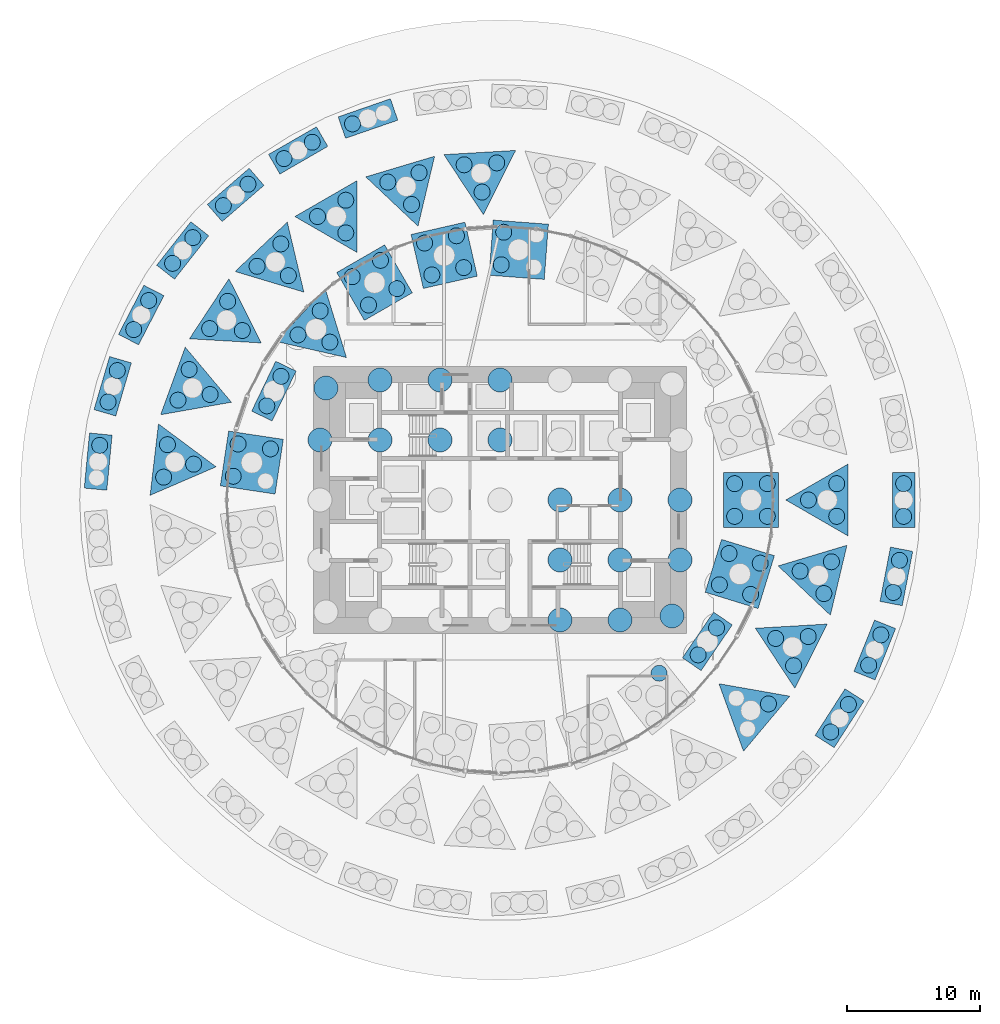
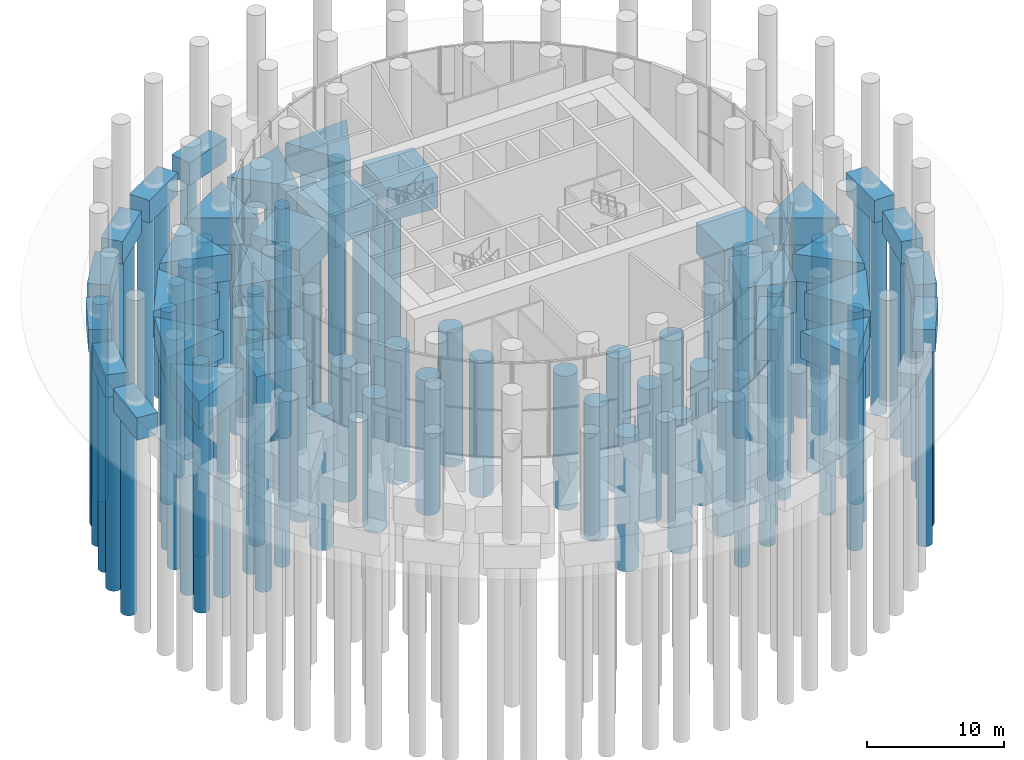
# One storey, part 3 of 20: 97 piles, 31 footings.
"""IFC4 building model written with IfcOpenShell, lengths in metres."""

from ifc_helpers import new_model, si_unit, direction, frame, origin, origin_2d, place, context, subcontext, project, spatial, polyline, circle, outline, extrude, material, material_profile, profile_set, type_object, element, save


model = new_model("IFC4")

# Units and contexts
model_context = context("Model", 3, precision=1e-05, world=origin(), true_north=direction((0.0, 1.0)))
body_context = subcontext(model_context, "Body", "Model", "MODEL_VIEW")
ifc_project = project(units=[si_unit("LENGTHUNIT", "METRE"), si_unit("AREAUNIT", "SQUARE_METRE"), si_unit("VOLUMEUNIT", "CUBIC_METRE"), si_unit("PLANEANGLEUNIT", "RADIAN"), si_unit("MASSUNIT", "GRAM", prefix="KILO")], contexts=[model_context])

# Site, building, storey
site_placement = place(None, origin())
site = spatial("IfcSite", under=ifc_project, at=site_placement, CompositionType="ELEMENT")
building_placement = place(site_placement, origin())
building = spatial("IfcBuilding", under=site, at=building_placement, Name="Tracery Tower", CompositionType="ELEMENT")
storey_placement = place(building_placement, origin())
storey = spatial("IfcBuildingStorey", under=building, at=storey_placement, Name="L00", CompositionType="ELEMENT", Elevation=0.0)

# Piles
ifc_material_1 = material(Name="Concrete C50/60", Category="concrete")
ifc_material_profile_1 = material_profile(ifc_material_1, circle(Radius=0.89990234375, at=origin_2d()), Name="RC D1800")
ifc_profile_set_1 = profile_set([ifc_material_profile_1], Name="Concrete C50/60")
pile_type_1 = type_object("IfcPileType", Name="Core bored pile D1800", PredefinedType="BORED", material=ifc_profile_set_1)
for number, where, z_axis, x_axis, name in (
    (1, (-13.5, 4.5, -8.0), (0.0, 0.0, -1.0), (1.0, 0.0, 0.0), "Core bored pile 04"),
    (2, (-13.050048828125, 8.39990234375, -8.0), (0.0, 0.0, -1.0), (1.0, 0.0, 0.0), "Core bored pile 05"),
    (3, (-9.0, 4.5, -8.0), (0.0, 0.0, -1.0), (1.0, 0.0, 0.0), "Core bored pile 09"),
    (4, (-9.0, 9.0, -8.0), (0.0, 0.0, -1.0), (1.0, 0.0, 0.0), "Core bored pile 10"),
    (5, (-4.5, 4.5, -8.0), (0.0, 0.0, -1.0), (1.0, 0.0, 0.0), "Core bored pile 14"),
    (6, (-4.5, 9.0, -8.0), (0.0, 0.0, -1.0), (1.0, 0.0, 0.0), "Core bored pile 15"),
    (7, (0.0, 4.5, -8.0), (0.0, 0.0, -1.0), (1.0, 0.0, 0.0), "Core bored pile 19"),
    (8, (0.0, 9.0, -8.0), (0.0, 0.0, -1.0), (1.0, 0.0, 0.0), "Core bored pile 20"),
    (9, (4.5, -9.0, -8.0), (0.0, 0.0, -1.0), (1.0, 0.0, 0.0), "Core bored pile 21"),
    (10, (4.5, -4.5, -8.0), (0.0, 0.0, -1.0), (1.0, 0.0, 0.0), "Core bored pile 22"),
    (11, (4.5, 0.0, -8.0), (0.0, 0.0, -1.0), (1.0, 0.0, 0.0), "Core bored pile 23"),
    (12, (9.0, -9.0, -8.0), (0.0, 0.0, -1.0), (1.0, 0.0, 0.0), "Core bored pile 26"),
    (13, (9.0, -4.5, -8.0), (0.0, 0.0, -1.0), (1.0, 0.0, 0.0), "Core bored pile 27"),
    (14, (9.0, 0.0, -8.0), (0.0, 0.0, -1.0), (1.0, 0.0, 0.0), "Core bored pile 28"),
    (15, (12.89990234375, -8.699951171875, -8.0), (0.0, 0.0, -1.0), (1.0, 0.0, 0.0), "Core bored pile 31"),
    (16, (13.5, -4.5, -8.0), (0.0, 0.0, -1.0), (1.0, 0.0, 0.0), "Core bored pile 32"),
    (17, (13.5, 0.0, -8.0), (0.0, 0.0, -1.0), (1.0, 0.0, 0.0), "Core bored pile 33"),
):
    element("IfcPile", number, at=place(storey_placement, frame(where, z_axis=z_axis, x_axis=x_axis)), inside=storey, type_object=pile_type_1, Name=name, PredefinedType="BORED", context=body_context, shape_type="SweptSolid", body=[
        extrude(circle(Radius=0.89990234375, at=origin_2d()), origin(), (0.0, 0.0, 1.0), 12.0),
    ])
ifc_material_2 = material(Name="Concrete C50/60", Category="concrete")
ifc_material_profile_2 = material_profile(ifc_material_2, circle(Radius=0.60009765625, at=origin_2d()), Name="RC D1200")
ifc_profile_set_2 = profile_set([ifc_material_profile_2], Name="Concrete C50/60")
pile_type_2 = type_object("IfcPileType", Name="Ring 0 bored pile D1200", PredefinedType="BORED", material=ifc_profile_set_2)
for number, where, z_axis, x_axis, name in (
    (18, (30.274658203125, -1.22509765625, -2.39990234375), (0.0, 0.0, -1.0), (1.0, 0.0, 0.0), "Bored pile 1 under ring 0 column 00"),
    (19, (30.274658203125, 1.22509765625, -2.39990234375), (0.0, 0.0, -1.0), (1.0, 0.0, 0.0), "Bored pile 2 under ring 0 column 00"),
    (20, (-11.0595703125, 28.208984375, -2.39990234375), (0.0, 0.0, -1.0), (1.0, 0.0, 0.0), "Bored pile 2 under ring 0 column 10"),
    (21, (-14.076416015625, 26.8310546875, -2.39990234375), (0.0, 0.0, -1.0), (1.0, 0.0, 0.0), "Bored pile 1 under ring 0 column 11"),
    (22, (-16.1982421875, 25.606201171875, -2.39990234375), (0.0, 0.0, -1.0), (1.0, 0.0, 0.0), "Bored pile 2 under ring 0 column 11"),
    (23, (-18.89990234375, 23.68212890625, -2.39990234375), (0.0, 0.0, -1.0), (1.0, 0.0, 0.0), "Bored pile 1 under ring 0 column 12"),
    (24, (-20.75146484375, 22.077880859375, -2.39990234375), (0.0, 0.0, -1.0), (1.0, 0.0, 0.0), "Bored pile 2 under ring 0 column 12"),
    (25, (-23.040283203125, 19.677490234375, -2.39990234375), (0.0, 0.0, -1.0), (1.0, 0.0, 0.0), "Bored pile 1 under ring 0 column 13"),
    (26, (-24.5546875, 17.751708984375, -2.39990234375), (0.0, 0.0, -1.0), (1.0, 0.0, 0.0), "Bored pile 2 under ring 0 column 13"),
    (27, (-26.347900390625, 14.96142578125, -2.39990234375), (0.0, 0.0, -1.0), (1.0, 0.0, 0.0), "Bored pile 1 under ring 0 column 14"),
    (28, (-27.470458984375, 12.78369140625, -2.39990234375), (0.0, 0.0, -1.0), (1.0, 0.0, 0.0), "Bored pile 2 under ring 0 column 14"),
    (29, (-28.703125, 9.70458984375, -2.39990234375), (0.0, 0.0, -1.0), (1.0, 0.0, 0.0), "Bored pile 1 under ring 0 column 15"),
    (30, (-29.393310546875, 7.35400390625, -2.39990234375), (0.0, 0.0, -1.0), (1.0, 0.0, 0.0), "Bored pile 2 under ring 0 column 15"),
    (31, (-30.02099609375, 4.09716796875, -2.39990234375), (0.0, 0.0, -1.0), (1.0, 0.0, 0.0), "Bored pile 1 under ring 0 column 16"),
    (32, (24.806396484375, -17.398193359375, -2.39990234375), (0.0, 0.0, -1.0), (1.0, 0.0, 0.0), "Bored pile 1 under ring 0 column 30"),
    (33, (26.130859375, -15.337158203125, -2.39990234375), (0.0, 0.0, -1.0), (1.0, 0.0, 0.0), "Bored pile 2 under ring 0 column 30"),
    (34, (27.650634765625, -12.38916015625, -2.39990234375), (0.0, 0.0, -1.0), (1.0, 0.0, 0.0), "Bored pile 1 under ring 0 column 31"),
    (35, (28.561279296875, -10.11474609375, -2.39990234375), (0.0, 0.0, -1.0), (1.0, 0.0, 0.0), "Bored pile 2 under ring 0 column 31"),
    (36, (29.49560546875, -6.932373046875, -2.39990234375), (0.0, 0.0, -1.0), (1.0, 0.0, 0.0), "Bored pile 1 under ring 0 column 32"),
    (37, (29.959228515625, -4.526611328125, -2.39990234375), (0.0, 0.0, -1.0), (1.0, 0.0, 0.0), "Bored pile 2 under ring 0 column 32"),
):
    element("IfcPile", number, at=place(storey_placement, frame(where, z_axis=z_axis, x_axis=x_axis)), inside=storey, type_object=pile_type_2, Name=name, PredefinedType="BORED", context=body_context, shape_type="SweptSolid", body=[
        extrude(circle(Radius=0.60009765625, at=origin_2d()), origin(), (0.0, 0.0, 1.0), 17.60009765625),
    ])

# Footings
ifc_material_3 = material(Name="Concrete C50/60", Category="concrete")
footing_type_1 = type_object("IfcFootingType", Name="Ring 0 pile cap 2 piles", PredefinedType="PILE_CAP", material=ifc_material_3)
footing_1_placement = place(storey_placement, frame((0.0, 0.0, -2.39990234375)))
element("IfcFooting", 38, at=footing_1_placement, inside=storey, type_object=footing_type_1, Name="Pile cap under ring 0 column 00", PredefinedType="PILE_CAP", context=body_context, shape_type="SweptSolid", body=[
    extrude(outline(polyline([(29.424560546875, -2.074951171875), (31.12451171875, -2.074951171875), (31.12451171875, -1.22509765625), (31.12451171875, 2.074951171875), (29.424560546875, 2.074951171875), (29.424560546875, 1.22509765625), (29.424560546875, -2.074951171875)])), origin(), (0.0, 0.0, 1.0), 2.0),
])
footing_2_placement = place(storey_placement, frame((0.0, 0.0, -2.39990234375)))
element("IfcFooting", 39, at=footing_2_placement, inside=storey, type_object=footing_type_1, Name="Pile cap under ring 0 column 10", PredefinedType="PILE_CAP", context=body_context, shape_type="SweptSolid", body=[
    extrude(outline(polyline([(-7.6630859375, 28.48486328125), (-8.218994140625, 30.09130859375), (-9.022216796875, 29.8134765625), (-12.140625, 28.734130859375), (-11.584716796875, 27.127685546875), (-10.781494140625, 27.405517578125), (-7.6630859375, 28.48486328125)])), origin(), (0.0, 0.0, 1.0), 2.0),
])
footing_3_placement = place(storey_placement, frame((0.0, 0.0, -2.39990234375)))
element("IfcFooting", 40, at=footing_3_placement, inside=storey, type_object=footing_type_1, Name="Pile cap under ring 0 column 11", PredefinedType="PILE_CAP", context=body_context, shape_type="SweptSolid", body=[
    extrude(outline(polyline([(-12.915283203125, 26.52001953125), (-13.765380859375, 27.9921875), (-14.50146484375, 27.567138671875), (-17.359375, 25.917236328125), (-16.50927734375, 24.445068359375), (-15.773193359375, 24.8701171875), (-12.915283203125, 26.52001953125)])), origin(), (0.0, 0.0, 1.0), 2.0),
])
footing_4_placement = place(storey_placement, frame((0.0, 0.0, -2.39990234375)))
element("IfcFooting", 41, at=footing_4_placement, inside=storey, type_object=footing_type_1, Name="Pile cap under ring 0 column 12", PredefinedType="PILE_CAP", context=body_context, shape_type="SweptSolid", body=[
    extrude(outline(polyline([(-17.70068359375, 23.596435546875), (-18.814208984375, 24.881103515625), (-19.45654296875, 24.32470703125), (-21.950439453125, 22.16357421875), (-20.837158203125, 20.87890625), (-20.19482421875, 21.435302734375), (-17.70068359375, 23.596435546875)])), origin(), (0.0, 0.0, 1.0), 2.0),
])
footing_5_placement = place(storey_placement, frame((0.0, 0.0, -2.39990234375)))
element("IfcFooting", 42, at=footing_5_placement, inside=storey, type_object=footing_type_1, Name="Pile cap under ring 0 column 13", PredefinedType="PILE_CAP", context=body_context, shape_type="SweptSolid", body=[
    extrude(outline(polyline([(-21.8466796875, 19.820068359375), (-23.182861328125, 20.87109375), (-23.708251953125, 20.202880859375), (-25.748291015625, 17.60888671875), (-24.412109375, 16.55810546875), (-23.886474609375, 17.226318359375), (-21.8466796875, 19.820068359375)])), origin(), (0.0, 0.0, 1.0), 2.0),
])
footing_6_placement = place(storey_placement, frame((0.0, 0.0, -2.39990234375)))
element("IfcFooting", 43, at=footing_6_placement, inside=storey, type_object=footing_type_1, Name="Pile cap under ring 0 column 14", PredefinedType="PILE_CAP", context=body_context, shape_type="SweptSolid", body=[
    extrude(outline(polyline([(-25.202880859375, 15.327392578125), (-26.7138671875, 16.1064453125), (-27.103271484375, 15.350830078125), (-28.615478515625, 12.417724609375), (-27.1044921875, 11.638916015625), (-26.715087890625, 12.394287109375), (-25.202880859375, 15.327392578125)])), origin(), (0.0, 0.0, 1.0), 2.0),
])
footing_7_placement = place(storey_placement, frame((0.0, 0.0, -2.39990234375)))
element("IfcFooting", 44, at=footing_7_placement, inside=storey, type_object=footing_type_1, Name="Pile cap under ring 0 column 15", PredefinedType="PILE_CAP", context=body_context, shape_type="SweptSolid", body=[
    extrude(outline(polyline([(-27.648193359375, 10.28076171875), (-29.279296875, 10.759765625), (-29.518798828125, 9.944091796875), (-30.448486328125, 6.77783203125), (-28.8173828125, 6.298828125), (-28.577880859375, 7.114501953125), (-27.648193359375, 10.28076171875)])), origin(), (0.0, 0.0, 1.0), 2.0),
])
footing_8_placement = place(storey_placement, frame((0.0, 0.0, -2.39990234375)))
element("IfcFooting", 45, at=footing_8_placement, inside=storey, type_object=footing_type_1, Name="Pile cap under ring 0 column 16", PredefinedType="PILE_CAP", context=body_context, shape_type="SweptSolid", body=[
    extrude(outline(polyline([(-29.093994140625, 4.862548828125), (-30.786376953125, 5.024169921875), (-30.8671875, 4.177978515625), (-31.180908203125, 0.89306640625), (-29.488525390625, 0.7314453125), (-29.40771484375, 1.577392578125), (-29.093994140625, 4.862548828125)])), origin(), (0.0, 0.0, 1.0), 2.0),
])
footing_9_placement = place(storey_placement, frame((0.0, 0.0, -2.39990234375)))
element("IfcFooting", 46, at=footing_9_placement, inside=storey, type_object=footing_type_1, Name="Pile cap under ring 0 column 30", PredefinedType="PILE_CAP", context=body_context, shape_type="SweptSolid", body=[
    extrude(outline(polyline([(23.631591796875, -17.65380859375), (25.06201171875, -18.57275390625), (25.521484375, -17.85791015625), (27.305419921875, -15.08154296875), (25.87548828125, -14.16259765625), (25.415771484375, -14.877685546875), (23.631591796875, -17.65380859375)])), origin(), (0.0, 0.0, 1.0), 2.0),
])
footing_10_placement = place(storey_placement, frame((0.0, 0.0, -2.39990234375)))
element("IfcFooting", 47, at=footing_10_placement, inside=storey, type_object=footing_type_1, Name="Pile cap under ring 0 column 31", PredefinedType="PILE_CAP", context=body_context, shape_type="SweptSolid", body=[
    extrude(outline(polyline([(26.545654296875, -12.8623046875), (28.123779296875, -13.494140625), (28.439697265625, -12.705078125), (29.666259765625, -9.6416015625), (28.088134765625, -9.009765625), (27.772216796875, -9.798828125), (26.545654296875, -12.8623046875)])), origin(), (0.0, 0.0, 1.0), 2.0),
])
footing_11_placement = place(storey_placement, frame((0.0, 0.0, -2.39990234375)))
element("IfcFooting", 48, at=footing_11_placement, inside=storey, type_object=footing_type_1, Name="Pile cap under ring 0 column 32", PredefinedType="PILE_CAP", context=body_context, shape_type="SweptSolid", body=[
    extrude(outline(polyline([(28.500244140625, -7.606201171875), (30.16943359375, -7.927978515625), (30.330322265625, -7.09326171875), (30.954833984375, -3.852783203125), (29.28564453125, -3.531005859375), (29.124755859375, -4.36572265625), (28.500244140625, -7.606201171875)])), origin(), (0.0, 0.0, 1.0), 2.0),
])

# Piles
ifc_material_4 = material(Name="Concrete C50/60", Category="concrete")
ifc_material_profile_3 = material_profile(ifc_material_4, circle(Radius=0.60009765625, at=origin_2d()), Name="RC D1200")
ifc_profile_set_3 = profile_set([ifc_material_profile_3], Name="Concrete C50/60")
pile_type_3 = type_object("IfcPileType", Name="Ring 1 bored pile D1200", PredefinedType="BORED", material=ifc_profile_set_3)
for number, where, z_axis, x_axis, name in (
    (49, (25.2548828125, -1.22509765625, -2.800048828125), (0.0, 0.0, -1.0), (1.0, 0.0, 0.0), "Bored pile 1 under ring 1 column 00"),
    (50, (25.2548828125, 1.22509765625, -2.800048828125), (0.0, 0.0, -1.0), (1.0, 0.0, 0.0), "Bored pile 2 under ring 1 column 00"),
    (51, (23.13330078125, 0.0, -2.800048828125), (0.0, 0.0, -1.0), (1.0, 0.0, 0.0), "Bored pile 3 under ring 1 column 00"),
    (52, (-0.24560546875, 25.283447265625, -2.800048828125), (0.0, 0.0, -1.0), (1.0, 0.0, 0.0), "Bored pile 1 under ring 1 column 07"),
    (53, (-2.69140625, 25.14111328125, -2.800048828125), (0.0, 0.0, -1.0), (1.0, 0.0, 0.0), "Bored pile 2 under ring 1 column 07"),
    (54, (-1.34521484375, 23.093994140625, -2.800048828125), (0.0, 0.0, -1.0), (1.0, 0.0, 0.0), "Bored pile 3 under ring 1 column 07"),
    (55, (-6.069580078125, 24.54541015625, -2.800048828125), (0.0, 0.0, -1.0), (1.0, 0.0, 0.0), "Bored pile 1 under ring 1 column 08"),
    (56, (-8.416748046875, 23.842529296875, -2.800048828125), (0.0, 0.0, -1.0), (1.0, 0.0, 0.0), "Bored pile 2 under ring 1 column 08"),
    (57, (-6.634765625, 22.161376953125, -2.800048828125), (0.0, 0.0, -1.0), (1.0, 0.0, 0.0), "Bored pile 3 under ring 1 column 08"),
    (58, (-11.566650390625, 22.48388671875, -2.800048828125), (0.0, 0.0, -1.0), (1.0, 0.0, 0.0), "Bored pile 1 under ring 1 column 09"),
    (59, (-13.6884765625, 21.2587890625, -2.800048828125), (0.0, 0.0, -1.0), (1.0, 0.0, 0.0), "Bored pile 2 under ring 1 column 09"),
    (60, (-11.566650390625, 20.033935546875, -2.800048828125), (0.0, 0.0, -1.0), (1.0, 0.0, 0.0), "Bored pile 3 under ring 1 column 09"),
    (61, (-16.43994140625, 19.21044921875, -2.800048828125), (0.0, 0.0, -1.0), (1.0, 0.0, 0.0), "Bored pile 1 under ring 1 column 10"),
    (62, (-18.221923828125, 17.529052734375, -2.800048828125), (0.0, 0.0, -1.0), (1.0, 0.0, 0.0), "Bored pile 2 under ring 1 column 10"),
    (63, (-15.875, 16.826416015625, -2.800048828125), (0.0, 0.0, -1.0), (1.0, 0.0, 0.0), "Bored pile 3 under ring 1 column 10"),
    (64, (-20.427001953125, 14.9013671875, -2.800048828125), (0.0, 0.0, -1.0), (1.0, 0.0, 0.0), "Bored pile 1 under ring 1 column 11"),
    (65, (-21.7734375, 12.8544921875, -2.800048828125), (0.0, 0.0, -1.0), (1.0, 0.0, 0.0), "Bored pile 2 under ring 1 column 11"),
    (66, (-19.327392578125, 12.7119140625, -2.800048828125), (0.0, 0.0, -1.0), (1.0, 0.0, 0.0), "Bored pile 3 under ring 1 column 11"),
    (67, (-23.31298828125, 9.788818359375, -2.800048828125), (0.0, 0.0, -1.0), (1.0, 0.0, 0.0), "Bored pile 1 under ring 1 column 12"),
    (68, (-24.15087890625, 7.486572265625, -2.800048828125), (0.0, 0.0, -1.0), (1.0, 0.0, 0.0), "Bored pile 2 under ring 1 column 12"),
    (69, (-21.738037109375, 7.912109375, -2.800048828125), (0.0, 0.0, -1.0), (1.0, 0.0, 0.0), "Bored pile 3 under ring 1 column 12"),
    (70, (-24.94189453125, 4.148681640625, -2.800048828125), (0.0, 0.0, -1.0), (1.0, 0.0, 0.0), "Bored pile 1 under ring 1 column 13"),
    (71, (-25.226318359375, 1.715087890625, -2.800048828125), (0.0, 0.0, -1.0), (1.0, 0.0, 0.0), "Bored pile 2 under ring 1 column 13"),
    (72, (-22.976806640625, 2.685546875, -2.800048828125), (0.0, 0.0, -1.0), (1.0, 0.0, 0.0), "Bored pile 3 under ring 1 column 13"),
    (73, (20.1337890625, -15.295166015625, -2.800048828125), (0.0, 0.0, -1.0), (1.0, 0.0, 0.0), "Bored pile 2 under ring 1 column 24"),
    (74, (22.018798828125, -12.42919921875, -2.800048828125), (0.0, 0.0, -1.0), (1.0, 0.0, 0.0), "Bored pile 1 under ring 1 column 25"),
    (75, (23.118408203125, -10.23974609375, -2.800048828125), (0.0, 0.0, -1.0), (1.0, 0.0, 0.0), "Bored pile 2 under ring 1 column 25"),
    (76, (20.672607421875, -10.382080078125, -2.800048828125), (0.0, 0.0, -1.0), (1.0, 0.0, 0.0), "Bored pile 3 under ring 1 column 25"),
    (77, (24.291748046875, -7.01611328125, -2.800048828125), (0.0, 0.0, -1.0), (1.0, 0.0, 0.0), "Bored pile 1 under ring 1 column 26"),
    (78, (24.856689453125, -4.632080078125, -2.800048828125), (0.0, 0.0, -1.0), (1.0, 0.0, 0.0), "Bored pile 2 under ring 1 column 26"),
    (79, (22.509521484375, -5.3349609375, -2.800048828125), (0.0, 0.0, -1.0), (1.0, 0.0, 0.0), "Bored pile 3 under ring 1 column 26"),
):
    element("IfcPile", number, at=place(storey_placement, frame(where, z_axis=z_axis, x_axis=x_axis)), inside=storey, type_object=pile_type_3, Name=name, PredefinedType="BORED", context=body_context, shape_type="SweptSolid", body=[
        extrude(circle(Radius=0.60009765625, at=origin_2d()), origin(), (0.0, 0.0, 1.0), 17.199951171875),
    ])

# Footings
ifc_material_5 = material(Name="Concrete C50/60", Category="concrete")
footing_type_2 = type_object("IfcFootingType", Name="Ring 1 pile cap 3 piles apex inward", PredefinedType="PILE_CAP", material=ifc_material_5)
footing_12_placement = place(storey_placement, frame((0.0, 0.0, -2.800048828125)))
element("IfcFooting", 80, at=footing_12_placement, inside=storey, type_object=footing_type_2, Name="Pile cap under ring 1 column 00", PredefinedType="PILE_CAP", context=body_context, shape_type="SweptSolid", body=[
    extrude(outline(polyline([(26.10498046875, 2.697265625), (21.43310546875, 0.0), (26.10498046875, -2.697265625), (26.10498046875, 2.697265625)])), origin(), (0.0, 0.0, 1.0), 2.400146484375),
])
footing_13_placement = place(storey_placement, frame((0.0, 0.0, -2.800048828125)))
element("IfcFooting", 81, at=footing_13_placement, inside=storey, type_object=footing_type_2, Name="Pile cap under ring 1 column 07", PredefinedType="PILE_CAP", context=body_context, shape_type="SweptSolid", body=[
    extrude(outline(polyline([(-4.21044921875, 25.904052734375), (-1.24609375, 21.39697265625), (1.1748046875, 26.217529296875), (-4.21044921875, 25.904052734375)])), origin(), (0.0, 0.0, 1.0), 2.400146484375),
])
footing_14_placement = place(storey_placement, frame((0.0, 0.0, -2.800048828125)))
element("IfcFooting", 82, at=footing_14_placement, inside=storey, type_object=footing_type_2, Name="Pile cap under ring 1 column 08", PredefinedType="PILE_CAP", context=body_context, shape_type="SweptSolid", body=[
    extrude(outline(polyline([(-10.07080078125, 24.234619140625), (-6.147216796875, 20.53271484375), (-4.903076171875, 25.78173828125), (-10.07080078125, 24.234619140625)])), origin(), (0.0, 0.0, 1.0), 2.400146484375),
])
footing_15_placement = place(storey_placement, frame((0.0, 0.0, -2.800048828125)))
element("IfcFooting", 83, at=footing_15_placement, inside=storey, type_object=footing_type_2, Name="Pile cap under ring 1 column 09", PredefinedType="PILE_CAP", context=body_context, shape_type="SweptSolid", body=[
    extrude(outline(polyline([(-15.388427734375, 21.2587890625), (-10.716552734375, 18.561767578125), (-10.716552734375, 23.956298828125), (-15.388427734375, 21.2587890625)])), origin(), (0.0, 0.0, 1.0), 2.400146484375),
])
footing_16_placement = place(storey_placement, frame((0.0, 0.0, -2.800048828125)))
element("IfcFooting", 84, at=footing_16_placement, inside=storey, type_object=footing_type_2, Name="Pile cap under ring 1 column 10", PredefinedType="PILE_CAP", context=body_context, shape_type="SweptSolid", body=[
    extrude(outline(polyline([(-19.876220703125, 17.13720703125), (-14.70849609375, 15.58984375), (-15.952392578125, 20.839111328125), (-19.876220703125, 17.13720703125)])), origin(), (0.0, 0.0, 1.0), 2.400146484375),
])
footing_17_placement = place(storey_placement, frame((0.0, 0.0, -2.800048828125)))
element("IfcFooting", 85, at=footing_17_placement, inside=storey, type_object=footing_type_2, Name="Pile cap under ring 1 column 11", PredefinedType="PILE_CAP", context=body_context, shape_type="SweptSolid", body=[
    extrude(outline(polyline([(-23.29248046875, 12.09130859375), (-17.9072265625, 11.777587890625), (-20.328125, 16.598388671875), (-23.29248046875, 12.09130859375)])), origin(), (0.0, 0.0, 1.0), 2.400146484375),
])
footing_18_placement = place(storey_placement, frame((0.0, 0.0, -2.800048828125)))
element("IfcFooting", 86, at=footing_18_placement, inside=storey, type_object=footing_type_2, Name="Pile cap under ring 1 column 12", PredefinedType="PILE_CAP", context=body_context, shape_type="SweptSolid", body=[
    extrude(outline(polyline([(-25.453125, 6.393798828125), (-20.140625, 7.33056640625), (-23.608154296875, 11.462890625), (-25.453125, 6.393798828125)])), origin(), (0.0, 0.0, 1.0), 2.400146484375),
])
footing_19_placement = place(storey_placement, frame((0.0, 0.0, -2.800048828125)))
element("IfcFooting", 87, at=footing_19_placement, inside=storey, type_object=footing_type_2, Name="Pile cap under ring 1 column 13", PredefinedType="PILE_CAP", context=body_context, shape_type="SweptSolid", body=[
    extrude(outline(polyline([(-26.24169921875, 0.3515625), (-21.288330078125, 2.48828125), (-25.615234375, 5.709716796875), (-26.24169921875, 0.3515625)])), origin(), (0.0, 0.0, 1.0), 2.400146484375),
])
footing_20_placement = place(storey_placement, frame((0.0, 0.0, -2.800048828125)))
element("IfcFooting", 88, at=footing_20_placement, inside=storey, type_object=footing_type_2, Name="Pile cap under ring 1 column 24", PredefinedType="PILE_CAP", context=body_context, shape_type="SweptSolid", body=[
    extrude(outline(polyline([(21.731201171875, -14.713623046875), (16.418701171875, -13.777099609375), (18.263916015625, -18.84619140625), (21.731201171875, -14.713623046875)])), origin(), (0.0, 0.0, 1.0), 2.400146484375),
])
footing_21_placement = place(storey_placement, frame((0.0, 0.0, -2.800048828125)))
element("IfcFooting", 89, at=footing_21_placement, inside=storey, type_object=footing_type_2, Name="Pile cap under ring 1 column 25", PredefinedType="PILE_CAP", context=body_context, shape_type="SweptSolid", body=[
    extrude(outline(polyline([(24.538818359375, -9.305419921875), (19.1533203125, -9.619140625), (22.11767578125, -14.126220703125), (24.538818359375, -9.305419921875)])), origin(), (0.0, 0.0, 1.0), 2.400146484375),
])
footing_22_placement = place(storey_placement, frame((0.0, 0.0, -2.800048828125)))
element("IfcFooting", 90, at=footing_22_placement, inside=storey, type_object=footing_type_2, Name="Pile cap under ring 1 column 26", PredefinedType="PILE_CAP", context=body_context, shape_type="SweptSolid", body=[
    extrude(outline(polyline([(26.023193359375, -3.395751953125), (20.85546875, -4.94287109375), (24.779296875, -8.644775390625), (26.023193359375, -3.395751953125)])), origin(), (0.0, 0.0, 1.0), 2.400146484375),
])

# Piles
ifc_material_6 = material(Name="Concrete C50/60", Category="concrete")
ifc_material_profile_4 = material_profile(ifc_material_6, circle(Radius=0.60009765625, at=origin_2d()), Name="RC D1200")
ifc_profile_set_4 = profile_set([ifc_material_profile_4], Name="Concrete C50/60")
pile_type_4 = type_object("IfcPileType", Name="Ring 2 bored pile D1200", PredefinedType="BORED", material=ifc_profile_set_4)
for number, where, z_axis, x_axis, name in (
    (91, (17.59716796875, -1.22509765625, -3.199951171875), (0.0, 0.0, -1.0), (1.0, 0.0, 0.0), "Bored pile 1 under ring 2 column 00"),
    (92, (17.59716796875, 1.22509765625, -3.199951171875), (0.0, 0.0, -1.0), (1.0, 0.0, 0.0), "Bored pile 2 under ring 2 column 00"),
    (93, (20.047119140625, -1.22509765625, -3.199951171875), (0.0, 0.0, -1.0), (1.0, 0.0, 0.0), "Bored pile 3 under ring 2 column 00"),
    (94, (20.047119140625, 1.22509765625, -3.199951171875), (0.0, 0.0, -1.0), (1.0, 0.0, 0.0), "Bored pile 4 under ring 2 column 00"),
    (95, (0.093505859375, 17.639404296875, -3.199951171875), (0.0, 0.0, -1.0), (1.0, 0.0, 0.0), "Bored pile 2 under ring 2 column 05"),
    (96, (0.276611328125, 20.082763671875, -3.199951171875), (0.0, 0.0, -1.0), (1.0, 0.0, 0.0), "Bored pile 4 under ring 2 column 05"),
    (97, (-2.721435546875, 17.4287109375, -3.199951171875), (0.0, 0.0, -1.0), (1.0, 0.0, 0.0), "Bored pile 1 under ring 2 column 06"),
    (98, (-5.110107421875, 16.88330078125, -3.199951171875), (0.0, 0.0, -1.0), (1.0, 0.0, 0.0), "Bored pile 2 under ring 2 column 06"),
    (99, (-3.2666015625, 19.817138671875, -3.199951171875), (0.0, 0.0, -1.0), (1.0, 0.0, 0.0), "Bored pile 3 under ring 2 column 06"),
    (100, (-5.6552734375, 19.27197265625, -3.199951171875), (0.0, 0.0, -1.0), (1.0, 0.0, 0.0), "Bored pile 4 under ring 2 column 06"),
    (101, (-7.73779296875, 15.85205078125, -3.199951171875), (0.0, 0.0, -1.0), (1.0, 0.0, 0.0), "Bored pile 1 under ring 2 column 07"),
    (102, (-9.859619140625, 14.627197265625, -3.199951171875), (0.0, 0.0, -1.0), (1.0, 0.0, 0.0), "Bored pile 2 under ring 2 column 07"),
    (103, (-8.962646484375, 17.973876953125, -3.199951171875), (0.0, 0.0, -1.0), (1.0, 0.0, 0.0), "Bored pile 3 under ring 2 column 07"),
    (104, (-11.08447265625, 16.748779296875, -3.199951171875), (0.0, 0.0, -1.0), (1.0, 0.0, 0.0), "Bored pile 4 under ring 2 column 07"),
    (105, (-13.48291015625, 14.181396484375, -3.199951171875), (0.0, 0.0, -1.0), (1.0, 0.0, 0.0), "Bored pile 1 under ring 2 column 08"),
    (106, (-15.1494140625, 12.385498046875, -3.199951171875), (0.0, 0.0, -1.0), (1.0, 0.0, 0.0), "Bored pile 2 under ring 2 column 08"),
    (107, (-12.7607421875, 11.840087890625, -3.199951171875), (0.0, 0.0, -1.0), (1.0, 0.0, 0.0), "Bored pile 3 under ring 2 column 08"),
    (108, (-16.4267578125, 9.270263671875, -3.199951171875), (0.0, 0.0, -1.0), (1.0, 0.0, 0.0), "Bored pile 1 under ring 2 column 09"),
    (109, (-17.48974609375, 7.06298828125, -3.199951171875), (0.0, 0.0, -1.0), (1.0, 0.0, 0.0), "Bored pile 2 under ring 2 column 09"),
    (110, (-17.218017578125, 3.833984375, -3.199951171875), (0.0, 0.0, -1.0), (1.0, 0.0, 0.0), "Bored pile 1 under ring 2 column 10"),
    (111, (-19.640625, 4.19921875, -3.199951171875), (0.0, 0.0, -1.0), (1.0, 0.0, 0.0), "Bored pile 3 under ring 2 column 10"),
    (112, (-20.005859375, 1.776611328125, -3.199951171875), (0.0, 0.0, -1.0), (1.0, 0.0, 0.0), "Bored pile 4 under ring 2 column 10"),
    (113, (11.929443359375, -12.994384765625, -3.199951171875), (0.0, 0.0, -1.0), (1.0, 0.0, 0.0), "Bored pile 2 under ring 2 column 18"),
    (114, (14.861572265625, -11.614990234375, -3.199951171875), (0.0, 0.0, -1.0), (1.0, 0.0, 0.0), "Bored pile 1 under ring 2 column 19"),
    (115, (16.24169921875, -9.5908203125, -3.199951171875), (0.0, 0.0, -1.0), (1.0, 0.0, 0.0), "Bored pile 2 under ring 2 column 19"),
    (116, (16.454345703125, -6.357421875, -3.199951171875), (0.0, 0.0, -1.0), (1.0, 0.0, 0.0), "Bored pile 1 under ring 2 column 20"),
    (117, (17.176513671875, -4.016357421875, -3.199951171875), (0.0, 0.0, -1.0), (1.0, 0.0, 0.0), "Bored pile 2 under ring 2 column 20"),
    (118, (18.79541015625, -7.07958984375, -3.199951171875), (0.0, 0.0, -1.0), (1.0, 0.0, 0.0), "Bored pile 3 under ring 2 column 20"),
    (119, (19.517578125, -4.73828125, -3.199951171875), (0.0, 0.0, -1.0), (1.0, 0.0, 0.0), "Bored pile 4 under ring 2 column 20"),
):
    element("IfcPile", number, at=place(storey_placement, frame(where, z_axis=z_axis, x_axis=x_axis)), inside=storey, type_object=pile_type_4, Name=name, PredefinedType="BORED", context=body_context, shape_type="SweptSolid", body=[
        extrude(circle(Radius=0.60009765625, at=origin_2d()), origin(), (0.0, 0.0, 1.0), 16.800048828125),
    ])

# Footings
ifc_material_7 = material(Name="Concrete C50/60", Category="concrete")
footing_type_3 = type_object("IfcFootingType", Name="Ring 2 pile cap 2 piles", PredefinedType="PILE_CAP", material=ifc_material_7)
footing_23_placement = place(storey_placement, frame((0.0, 0.0, -3.199951171875)))
element("IfcFooting", 120, at=footing_23_placement, inside=storey, type_object=footing_type_3, Name="Pile cap under ring 2 column 09", PredefinedType="PILE_CAP", context=body_context, shape_type="SweptSolid", body=[
    extrude(outline(polyline([(-15.2919921875, 9.66748046875), (-16.82373046875, 10.405029296875), (-17.1923828125, 9.63916015625), (-18.62451171875, 6.666015625), (-17.0927734375, 5.92822265625), (-16.723876953125, 6.694091796875), (-15.2919921875, 9.66748046875)])), origin(), (0.0, 0.0, 1.0), 2.800048828125),
])
footing_24_placement = place(storey_placement, frame((0.0, 0.0, -3.199951171875)))
element("IfcFooting", 121, at=footing_24_placement, inside=storey, type_object=footing_type_3, Name="Pile cap under ring 2 column 19", PredefinedType="PILE_CAP", context=body_context, shape_type="SweptSolid", body=[
    extrude(outline(polyline([(13.680419921875, -11.83837890625), (15.0849609375, -12.796142578125), (15.56396484375, -12.093994140625), (17.4228515625, -9.3671875), (16.018310546875, -8.40966796875), (15.539306640625, -9.112060546875), (13.680419921875, -11.83837890625)])), origin(), (0.0, 0.0, 1.0), 2.800048828125),
])
ifc_material_8 = material(Name="Concrete C50/60", Category="concrete")
footing_type_4 = type_object("IfcFootingType", Name="Ring 2 pile cap 3 piles apex inward", PredefinedType="PILE_CAP", material=ifc_material_8)
footing_25_placement = place(storey_placement, frame((0.0, 0.0, -3.199951171875)))
element("IfcFooting", 122, at=footing_25_placement, inside=storey, type_object=footing_type_4, Name="Pile cap under ring 2 column 08", PredefinedType="PILE_CAP", context=body_context, shape_type="SweptSolid", body=[
    extrude(outline(polyline([(-16.773681640625, 11.88427734375), (-11.514404296875, 10.683837890625), (-13.1044921875, 15.8388671875), (-16.773681640625, 11.88427734375)])), origin(), (0.0, 0.0, 1.0), 2.800048828125),
])
ifc_material_9 = material(Name="Concrete C50/60", Category="concrete")
footing_type_5 = type_object("IfcFootingType", Name="Ring 2 pile cap 4 piles", PredefinedType="PILE_CAP", material=ifc_material_9)
footing_26_placement = place(storey_placement, frame((0.0, 0.0, -3.199951171875)))
element("IfcFooting", 123, at=footing_26_placement, inside=storey, type_object=footing_type_5, Name="Pile cap under ring 2 column 00", PredefinedType="PILE_CAP", context=body_context, shape_type="SweptSolid", body=[
    extrude(outline(polyline([(20.897216796875, -2.074951171875), (20.897216796875, 2.074951171875), (16.747314453125, 2.074951171875), (16.747314453125, -2.074951171875), (20.897216796875, -2.074951171875)])), origin(), (0.0, 0.0, 1.0), 2.800048828125),
])
footing_27_placement = place(storey_placement, frame((0.0, 0.0, -3.199951171875)))
element("IfcFooting", 124, at=footing_27_placement, inside=storey, type_object=footing_type_5, Name="Pile cap under ring 2 column 05", PredefinedType="PILE_CAP", context=body_context, shape_type="SweptSolid", body=[
    extrude(outline(polyline([(3.630859375, 20.68359375), (-0.507568359375, 20.993896484375), (-0.817626953125, 16.85546875), (3.32080078125, 16.54541015625), (3.630859375, 20.68359375)])), origin(), (0.0, 0.0, 1.0), 2.800048828125),
])
footing_28_placement = place(storey_placement, frame((0.0, 0.0, -3.199951171875)))
element("IfcFooting", 125, at=footing_28_placement, inside=storey, type_object=footing_type_5, Name="Pile cap under ring 2 column 06", PredefinedType="PILE_CAP", context=body_context, shape_type="SweptSolid", body=[
    extrude(outline(polyline([(-2.627197265625, 20.8349609375), (-6.673095703125, 19.91162109375), (-5.74951171875, 15.865478515625), (-1.70361328125, 16.7890625), (-2.627197265625, 20.8349609375)])), origin(), (0.0, 0.0, 1.0), 2.800048828125),
])
footing_29_placement = place(storey_placement, frame((0.0, 0.0, -3.199951171875)))
element("IfcFooting", 126, at=footing_29_placement, inside=storey, type_object=footing_type_5, Name="Pile cap under ring 2 column 07", PredefinedType="PILE_CAP", context=body_context, shape_type="SweptSolid", body=[
    extrude(outline(polyline([(-8.651611328125, 19.135009765625), (-12.24560546875, 17.06005859375), (-10.170654296875, 13.466064453125), (-6.57666015625, 15.541015625), (-8.651611328125, 19.135009765625)])), origin(), (0.0, 0.0, 1.0), 2.800048828125),
])
footing_30_placement = place(storey_placement, frame((0.0, 0.0, -3.199951171875)))
element("IfcFooting", 127, at=footing_30_placement, inside=storey, type_object=footing_type_5, Name="Pile cap under ring 2 column 10", PredefinedType="PILE_CAP", context=body_context, shape_type="SweptSolid", body=[
    extrude(outline(polyline([(-20.3544921875, 5.16650390625), (-20.97314453125, 1.062744140625), (-16.869384765625, 0.444091796875), (-16.2509765625, 4.5478515625), (-20.3544921875, 5.16650390625)])), origin(), (0.0, 0.0, 1.0), 2.800048828125),
])
footing_31_placement = place(storey_placement, frame((0.0, 0.0, -3.199951171875)))
element("IfcFooting", 128, at=footing_31_placement, inside=storey, type_object=footing_type_5, Name="Pile cap under ring 2 column 20", PredefinedType="PILE_CAP", context=body_context, shape_type="SweptSolid", body=[
    extrude(outline(polyline([(19.357177734375, -8.142333984375), (20.580322265625, -4.1767578125), (16.61474609375, -2.95361328125), (15.3916015625, -6.919189453125), (19.357177734375, -8.142333984375)])), origin(), (0.0, 0.0, 1.0), 2.800048828125),
])

save(model, "model.ifc")
